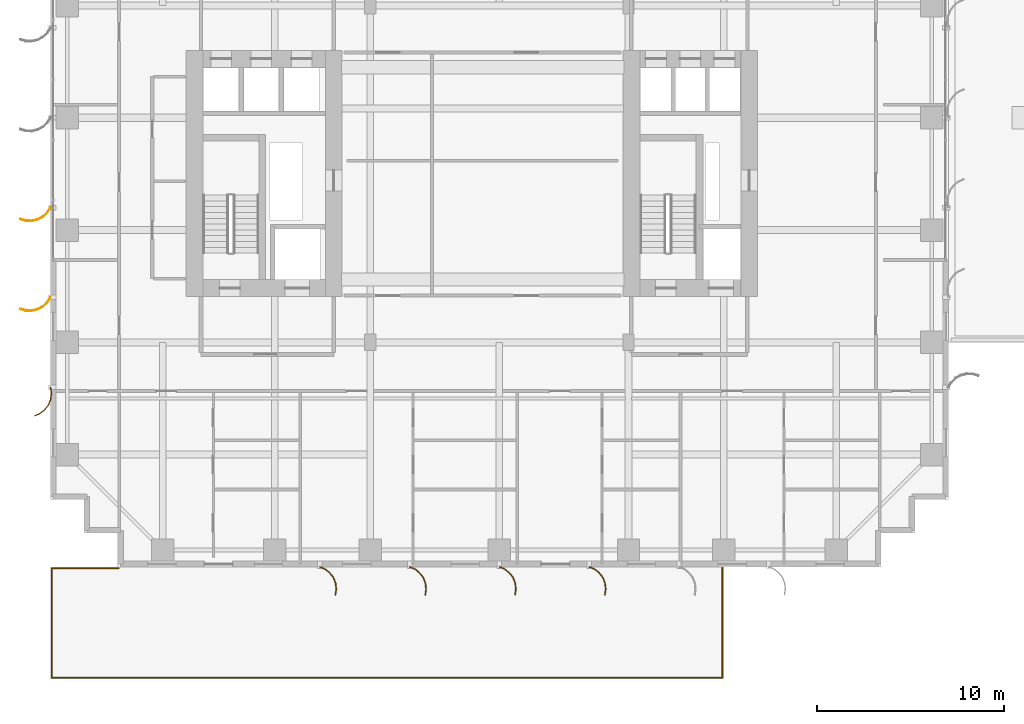
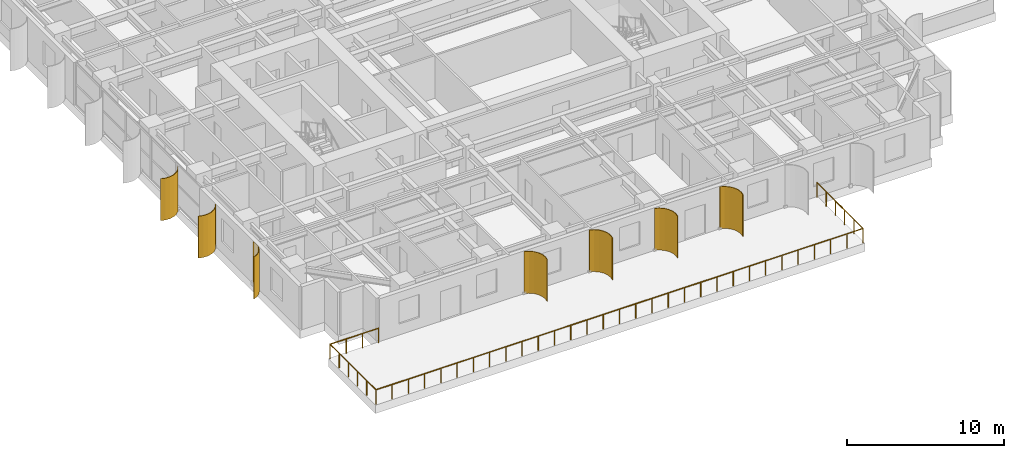
# One storey, part 18 of 21: 7 shading devices, 1 railing.
"""IFC4 building model written with IfcOpenShell, lengths in metres."""

import ifcopenshell
import ifcopenshell.guid

model = None  # the IFC model being written
_history = None  # IfcOwnerHistory: only IFC2X3 demands one
_inside = {}  # id of a spatial element -> (the spatial element, [elements in it])
_under = {}  # id of a project, library or spatial element -> (it, [spatial elements below it])
_declared = {}  # id of a project -> (the project, [libraries it declares])
_typed = {}  # id of a type object -> (the type object, [elements of that type])
_made_of = {}  # id of a material, layer set ... -> (it, [elements and type objects made of it])


def new_model(schema):
    """Start an empty IFC model of exactly this schema.

    Asked for "IFC4X3", IfcOpenShell would pick the latest addendum, in which some entities
    have other attributes; the version numbers below select the first issue.
    IFC2X3 requires an IfcOwnerHistory on every rooted entity: one is made here for all.
    """
    global model, _history
    if schema == "IFC4X3":
        model = ifcopenshell.file(schema_version=(4, 3, 0, 0))
    else:
        model = ifcopenshell.file(schema=schema)
    _inside.clear()
    _under.clear()
    _declared.clear()
    _typed.clear()
    _made_of.clear()
    _history = None
    if model.schema == "IFC2X3":
        org = make("IfcOrganization", Name="unknown")
        user = make(
            "IfcPersonAndOrganization",
            ThePerson=make("IfcPerson", FamilyName="unknown"),
            TheOrganization=org,
        )
        app = make(
            "IfcApplication",
            ApplicationDeveloper=org,
            Version="unknown",
            ApplicationFullName="unknown",
            ApplicationIdentifier="unknown",
        )
        _history = make(
            "IfcOwnerHistory",
            OwningUser=user,
            OwningApplication=app,
            ChangeAction="ADDED",
            CreationDate=0,
        )
    return model


def make(cls, **values):
    """One entity of the class cls with the attributes given. An attribute that is None is left unset."""
    return model.create_entity(
        cls, **{name: value for name, value in values.items() if value is not None}
    )


def rooted(cls, **values):
    """An entity with a GlobalId (a new one), such as an element, a storey or a relation."""
    return make(cls, GlobalId=ifcopenshell.guid.new(), OwnerHistory=_history, **values)


def si_unit(unit_type, name, prefix=None):
    """IfcSIUnit, for example si_unit("LENGTHUNIT", "METRE", prefix="MILLI")."""
    return make("IfcSIUnit", UnitType=unit_type, Prefix=prefix, Name=name)


def assignment(units):
    """IfcUnitAssignment: the units of a project."""
    return None if units is None else make("IfcUnitAssignment", Units=units)


def point(xyz):
    """IfcCartesianPoint."""
    return None if xyz is None else make("IfcCartesianPoint", Coordinates=xyz)


def direction(xyz):
    """IfcDirection."""
    return None if xyz is None else make("IfcDirection", DirectionRatios=xyz)


def frame(location, z_axis=None, x_axis=None):
    """IfcAxis2Placement3D, a coordinate frame: its origin and axes. An axis left out is left unset."""
    return make(
        "IfcAxis2Placement3D",
        Location=point(location),
        Axis=direction(z_axis),
        RefDirection=direction(x_axis),
    )


def frame_2d(location, x_axis=None):
    """IfcAxis2Placement2D, a coordinate frame in the plane: its origin and x axis."""
    return make(
        "IfcAxis2Placement2D", Location=point(location), RefDirection=direction(x_axis)
    )


def origin():
    """The frame at (0, 0, 0) with its axes left unset."""
    return frame((0.0, 0.0, 0.0))


def origin_2d():
    """The frame at (0, 0) in the plane with its x axis left unset."""
    return frame_2d((0.0, 0.0))


def place(relative_to, where):
    """IfcLocalPlacement: puts the frame where relative to a parent placement (None: the world)."""
    return make(
        "IfcLocalPlacement", PlacementRelTo=relative_to, RelativePlacement=where
    )


def context(
    kind, dimensions, precision=None, world=None, true_north=None, identifier=None
):
    """IfcGeometricRepresentationContext, for example the 3D "Model" context."""
    return make(
        "IfcGeometricRepresentationContext",
        ContextIdentifier=identifier,
        ContextType=kind,
        CoordinateSpaceDimension=dimensions,
        Precision=precision,
        WorldCoordinateSystem=world,
        TrueNorth=true_north,
    )


def subcontext(parent, identifier, kind, view, scale=None):
    """IfcGeometricRepresentationSubContext, for example "Body" below "Model"."""
    return make(
        "IfcGeometricRepresentationSubContext",
        ContextIdentifier=identifier,
        ContextType=kind,
        ParentContext=parent,
        TargetScale=scale,
        TargetView=view,
    )


def project(units=None, contexts=None):
    """IfcProject with its units and contexts."""
    return rooted(
        "IfcProject",
        Name="project",
        RepresentationContexts=contexts,
        UnitsInContext=assignment(units),
    )


def spatial(cls, under=None, at=None, **own):
    """A site, building, storey or space (cls), placed at a placement, below another one or the project."""
    s = rooted(cls, ObjectPlacement=at, **own)
    if under is not None:
        _under.setdefault(under.id(), (under, []))[1].append(s)
    return s


def polyline(points):
    """IfcPolyline through the points."""
    return make("IfcPolyline", Points=[point(p) for p in points])


def profile(cls, at=None, kind="AREA", **sizes):
    """A parametric profile (cls). Its sizes go by their IFC names, for example OverallWidth=200.0."""
    return make(cls, ProfileType=kind, Position=at, **sizes)


def circle(**sizes):
    """IfcCircleProfileDef."""
    return profile("IfcCircleProfileDef", **sizes)


def outline(outer, holes=None, kind="AREA"):
    """IfcArbitraryClosedProfileDef: a profile drawn as a closed curve; with holes, ...WithVoids."""
    if holes is None:
        return make("IfcArbitraryClosedProfileDef", ProfileType=kind, OuterCurve=outer)
    return make(
        "IfcArbitraryProfileDefWithVoids",
        ProfileType=kind,
        OuterCurve=outer,
        InnerCurves=holes,
    )


def extrude(swept, where, along, depth):
    """IfcExtrudedAreaSolid: the profile swept, set in the frame where, extruded along a direction by depth."""
    return make(
        "IfcExtrudedAreaSolid",
        SweptArea=swept,
        Position=where,
        ExtrudedDirection=direction(along),
        Depth=depth,
    )


def shape(context_of_items, identifier, shape_type, items):
    """IfcShapeRepresentation: the items that make up one representation, for example the "Body"."""
    return make(
        "IfcShapeRepresentation",
        ContextOfItems=context_of_items,
        RepresentationIdentifier=identifier,
        RepresentationType=shape_type,
        Items=items,
    )


def source(mapping_origin, context_of_items, identifier, shape_type, items):
    """IfcRepresentationMap: a shape defined once, which mapped items show again and again."""
    return make(
        "IfcRepresentationMap",
        MappingOrigin=mapping_origin,
        MappedRepresentation=shape(context_of_items, identifier, shape_type, items),
    )


def transform(
    local_origin,
    x_axis=None,
    y_axis=None,
    z_axis=None,
    scale=None,
    scale2=None,
    scale3=None,
    uniform=True,
):
    """IfcCartesianTransformationOperator3D, or its non-uniform kind. x_axis, y_axis, z_axis: its Axis1, 2, 3."""
    if uniform:
        return make(
            "IfcCartesianTransformationOperator3D",
            Axis1=direction(x_axis),
            Axis2=direction(y_axis),
            LocalOrigin=point(local_origin),
            Scale=scale,
            Axis3=direction(z_axis),
        )
    return make(
        "IfcCartesianTransformationOperator3DnonUniform",
        Axis1=direction(x_axis),
        Axis2=direction(y_axis),
        LocalOrigin=point(local_origin),
        Scale=scale,
        Axis3=direction(z_axis),
        Scale2=scale2,
        Scale3=scale3,
    )


def mapped(mapping_source, mapping_target):
    """IfcMappedItem: shows the shape of a source again, moved by a transform."""
    return make(
        "IfcMappedItem", MappingSource=mapping_source, MappingTarget=mapping_target
    )


def material(Name=None, Category=None):
    """IfcMaterial."""
    return make("IfcMaterial", Name=Name, Category=Category)


def layer(
    of_material, thickness, ventilated=None, Name=None, Category=None, Priority=None
):
    """IfcMaterialLayer: one layer of a wall or slab, of a material (None: an air gap)."""
    return make(
        "IfcMaterialLayer",
        Material=of_material,
        LayerThickness=thickness,
        IsVentilated=ventilated,
        Name=Name,
        Category=Category,
        Priority=Priority,
    )


def layer_set(layers, Name=None):
    """IfcMaterialLayerSet."""
    return make("IfcMaterialLayerSet", MaterialLayers=layers, LayerSetName=Name)


def made_of(thing, what):
    """Note that an element or type object is made of a material, layer set ...; save() writes the relation."""
    if what is not None:
        _made_of.setdefault(what.id(), (what, []))[1].append(thing)
    return thing


def type_object(cls, material=None, **own):
    """A type object (cls), such as IfcWallType, which elements share."""
    return made_of(rooted(cls, **own), material)


def element(
    cls,
    number,
    at=None,
    inside=None,
    cuts=None,
    type_object=None,
    material=None,
    context=None,
    identifier="Body",
    shape_type=None,
    held_by="IfcProductDefinitionShape",
    body=None,
    shapes=None,
    **own,
):
    """One element of the class cls, such as IfcWall. Its Tag is "e" and its number.

    at: its placement. inside: the storey or other place that contains it. cuts: it is an
    opening in that element (IfcRelVoidsElement). A single representation is given by context,
    identifier, shape_type and body (its items); several are given by shapes. held_by: the class
    of the entity that holds the representations. save() writes the other relations.
    """
    e = rooted(cls, Tag="e%d" % number, ObjectPlacement=at, **own)
    if body is not None:
        shapes = [shape(context, identifier, shape_type, body)]
    if shapes is not None:
        e.Representation = make(held_by, Representations=shapes)
    if inside is not None:
        _inside.setdefault(inside.id(), (inside, []))[1].append(e)
    if cuts is not None:
        rooted(
            "IfcRelVoidsElement", RelatingBuildingElement=cuts, RelatedOpeningElement=e
        )
    if type_object is not None:
        _typed.setdefault(type_object.id(), (type_object, []))[1].append(e)
    return made_of(e, material)


def aggregate(whole, parts):
    """IfcRelAggregates: a whole, such as a stair, and the parts it consists of."""
    return rooted("IfcRelAggregates", RelatingObject=whole, RelatedObjects=parts)


def save(model, path):
    """Write the relations noted so far, then the file.

    IfcRelAggregates (storeys below a building ...), IfcRelContainedInSpatialStructure (elements
    in a storey), IfcRelDefinesByType, IfcRelAssociatesMaterial and IfcRelDeclares: one each for
    every whole, place, type object, material and project.
    """
    for whole, parts in _under.values():
        aggregate(whole, parts)
    for where, things in _inside.values():
        rooted(
            "IfcRelContainedInSpatialStructure",
            RelatedElements=things,
            RelatingStructure=where,
        )
    for kind, things in _typed.values():
        rooted("IfcRelDefinesByType", RelatedObjects=things, RelatingType=kind)
    for what, things in _made_of.values():
        rooted("IfcRelAssociatesMaterial", RelatedObjects=things, RelatingMaterial=what)
    for by, libraries in _declared.values():
        rooted("IfcRelDeclares", RelatingContext=by, RelatedDefinitions=libraries)
    model.write(path)


model = new_model("IFC4")

# Units and contexts
model_context = context("Model", 3, precision=1e-05, world=origin(), true_north=direction((0.0, 1.0)))
body_context = subcontext(model_context, "Body", "Model", "MODEL_VIEW")
ifc_project = project(units=[si_unit("LENGTHUNIT", "METRE"), si_unit("AREAUNIT", "SQUARE_METRE"), si_unit("VOLUMEUNIT", "CUBIC_METRE"), si_unit("PLANEANGLEUNIT", "RADIAN"), si_unit("MASSUNIT", "GRAM", prefix="KILO")], contexts=[model_context])

# Site, building, storey
site_placement = place(None, origin())
site = spatial("IfcSite", under=ifc_project, at=site_placement, CompositionType="ELEMENT")
building_placement = place(site_placement, origin())
building = spatial("IfcBuilding", under=site, at=building_placement, Name="Khoralis Quay Care Tower", CompositionType="ELEMENT")
storey_placement = place(building_placement, frame((0.0, 0.0, 22.5)))
storey = spatial("IfcBuildingStorey", under=building, at=storey_placement, Name="L05", CompositionType="ELEMENT", Elevation=22.5)

# Railing
ifc_material_1 = material(Name="Pale anodised aluminium", Category="aluminium")
railing_type = type_object("IfcRailingType", Name="RL-BALUST-1150", PredefinedType="BALUSTRADE", material=ifc_material_1)
railing_placement = place(storey_placement, frame((3.64990234375, -0.080078125, 0.0)))
element("IfcRailing", 1, at=railing_placement, inside=storey, type_object=railing_type, Name="L05 Waterfront Podium Terrace Balustrade", PredefinedType="BALUSTRADE", context=body_context, shape_type="SweptSolid", body=[
    extrude(circle(Radius=0.02392578125, at=origin_2d()), frame((0.0, 0.0, 1.1259765625), z_axis=(-1.0, 0.0, 0.0), x_axis=(0.0, -1.0, 0.0)), (0.0, 0.0, 1.0), 3.56982421875),
    extrude(circle(Radius=0.02392578125, at=origin_2d()), frame((-3.56982421875, 0.0, 1.1259765625), z_axis=(0.0, -1.0, 0.0), x_axis=(1.0, 0.0, 0.0)), (0.0, 0.0, 1.0), 5.83984375),
    extrude(circle(Radius=0.02392578125, at=origin_2d()), frame((-3.56982421875, -5.83984375, 1.1259765625), z_axis=(1.0, 0.0, 0.0), x_axis=(0.0, 1.0, 0.0)), (0.0, 0.0, 1.0), 35.83984375),
    extrude(circle(Radius=0.02392578125, at=origin_2d()), frame((32.27001953125, -5.83984375, 1.1259765625), z_axis=(0.0, 1.0, 0.0), x_axis=(-1.0, 0.0, 0.0)), (0.0, 0.0, 1.0), 5.8798828125),
    extrude(circle(Radius=0.02099609375, at=origin_2d()), origin(), (0.0, 0.0, 1.0), 1.101806640625),
    extrude(circle(Radius=0.02099609375, at=origin_2d()), frame((-1.18994140625, 0.0, 0.0)), (0.0, 0.0, 1.0), 1.101806640625),
    extrude(circle(Radius=0.02099609375, at=origin_2d()), frame((-2.3798828125, 0.0, 0.0)), (0.0, 0.0, 1.0), 1.101806640625),
    extrude(circle(Radius=0.02099609375, at=origin_2d()), frame((-3.56982421875, 0.0, 0.0)), (0.0, 0.0, 1.0), 1.101806640625),
    extrude(circle(Radius=0.02099609375, at=origin_2d()), frame((-3.56982421875, -1.16796875, 0.0)), (0.0, 0.0, 1.0), 1.101806640625),
    extrude(circle(Radius=0.02099609375, at=origin_2d()), frame((-3.56982421875, -2.3359375, 0.0)), (0.0, 0.0, 1.0), 1.101806640625),
    extrude(circle(Radius=0.02099609375, at=origin_2d()), frame((-3.56982421875, -3.50390625, 0.0)), (0.0, 0.0, 1.0), 1.101806640625),
    extrude(circle(Radius=0.02099609375, at=origin_2d()), frame((-3.56982421875, -4.671875, 0.0)), (0.0, 0.0, 1.0), 1.101806640625),
    extrude(circle(Radius=0.02099609375, at=origin_2d()), frame((-3.56982421875, -5.83984375, 0.0)), (0.0, 0.0, 1.0), 1.101806640625),
    extrude(circle(Radius=0.02099609375, at=origin_2d()), frame((-2.375244140625, -5.83984375, 0.0)), (0.0, 0.0, 1.0), 1.101806640625),
    extrude(circle(Radius=0.02099609375, at=origin_2d()), frame((-1.180419921875, -5.83984375, 0.0)), (0.0, 0.0, 1.0), 1.101806640625),
    extrude(circle(Radius=0.02099609375, at=origin_2d()), frame((0.01416015625, -5.83984375, 0.0)), (0.0, 0.0, 1.0), 1.101806640625),
    extrude(circle(Radius=0.02099609375, at=origin_2d()), frame((1.208740234375, -5.83984375, 0.0)), (0.0, 0.0, 1.0), 1.101806640625),
    extrude(circle(Radius=0.02099609375, at=origin_2d()), frame((2.403564453125, -5.83984375, 0.0)), (0.0, 0.0, 1.0), 1.101806640625),
    extrude(circle(Radius=0.02099609375, at=origin_2d()), frame((3.59814453125, -5.83984375, 0.0)), (0.0, 0.0, 1.0), 1.101806640625),
    extrude(circle(Radius=0.02099609375, at=origin_2d()), frame((4.792724609375, -5.83984375, 0.0)), (0.0, 0.0, 1.0), 1.101806640625),
    extrude(circle(Radius=0.02099609375, at=origin_2d()), frame((5.987548828125, -5.83984375, 0.0)), (0.0, 0.0, 1.0), 1.101806640625),
    extrude(circle(Radius=0.02099609375, at=origin_2d()), frame((7.18212890625, -5.83984375, 0.0)), (0.0, 0.0, 1.0), 1.101806640625),
    extrude(circle(Radius=0.02099609375, at=origin_2d()), frame((8.376708984375, -5.83984375, 0.0)), (0.0, 0.0, 1.0), 1.101806640625),
    extrude(circle(Radius=0.02099609375, at=origin_2d()), frame((9.571533203125, -5.83984375, 0.0)), (0.0, 0.0, 1.0), 1.101806640625),
    extrude(circle(Radius=0.02099609375, at=origin_2d()), frame((10.76611328125, -5.83984375, 0.0)), (0.0, 0.0, 1.0), 1.101806640625),
    extrude(circle(Radius=0.02099609375, at=origin_2d()), frame((11.960693359375, -5.83984375, 0.0)), (0.0, 0.0, 1.0), 1.101806640625),
    extrude(circle(Radius=0.02099609375, at=origin_2d()), frame((13.155517578125, -5.83984375, 0.0)), (0.0, 0.0, 1.0), 1.101806640625),
    extrude(circle(Radius=0.02099609375, at=origin_2d()), frame((14.35009765625, -5.83984375, 0.0)), (0.0, 0.0, 1.0), 1.101806640625),
    extrude(circle(Radius=0.02099609375, at=origin_2d()), frame((15.544677734375, -5.83984375, 0.0)), (0.0, 0.0, 1.0), 1.101806640625),
    extrude(circle(Radius=0.02099609375, at=origin_2d()), frame((16.739501953125, -5.83984375, 0.0)), (0.0, 0.0, 1.0), 1.101806640625),
    extrude(circle(Radius=0.02099609375, at=origin_2d()), frame((17.93408203125, -5.83984375, 0.0)), (0.0, 0.0, 1.0), 1.101806640625),
    extrude(circle(Radius=0.02099609375, at=origin_2d()), frame((19.128662109375, -5.83984375, 0.0)), (0.0, 0.0, 1.0), 1.101806640625),
    extrude(circle(Radius=0.02099609375, at=origin_2d()), frame((20.323486328125, -5.83984375, 0.0)), (0.0, 0.0, 1.0), 1.101806640625),
    extrude(circle(Radius=0.02099609375, at=origin_2d()), frame((21.51806640625, -5.83984375, 0.0)), (0.0, 0.0, 1.0), 1.101806640625),
    extrude(circle(Radius=0.02099609375, at=origin_2d()), frame((22.712646484375, -5.83984375, 0.0)), (0.0, 0.0, 1.0), 1.101806640625),
    extrude(circle(Radius=0.02099609375, at=origin_2d()), frame((23.907470703125, -5.83984375, 0.0)), (0.0, 0.0, 1.0), 1.101806640625),
    extrude(circle(Radius=0.02099609375, at=origin_2d()), frame((25.10205078125, -5.83984375, 0.0)), (0.0, 0.0, 1.0), 1.101806640625),
    extrude(circle(Radius=0.02099609375, at=origin_2d()), frame((26.296630859375, -5.83984375, 0.0)), (0.0, 0.0, 1.0), 1.101806640625),
    extrude(circle(Radius=0.02099609375, at=origin_2d()), frame((27.491455078125, -5.83984375, 0.0)), (0.0, 0.0, 1.0), 1.101806640625),
    extrude(circle(Radius=0.02099609375, at=origin_2d()), frame((28.68603515625, -5.83984375, 0.0)), (0.0, 0.0, 1.0), 1.101806640625),
    extrude(circle(Radius=0.02099609375, at=origin_2d()), frame((29.880615234375, -5.83984375, 0.0)), (0.0, 0.0, 1.0), 1.101806640625),
    extrude(circle(Radius=0.02099609375, at=origin_2d()), frame((31.075439453125, -5.83984375, 0.0)), (0.0, 0.0, 1.0), 1.101806640625),
    extrude(circle(Radius=0.02099609375, at=origin_2d()), frame((32.27001953125, -5.83984375, 0.0)), (0.0, 0.0, 1.0), 1.101806640625),
    extrude(circle(Radius=0.02099609375, at=origin_2d()), frame((32.27001953125, -4.663818359375, 0.0)), (0.0, 0.0, 1.0), 1.101806640625),
    extrude(circle(Radius=0.02099609375, at=origin_2d()), frame((32.27001953125, -3.48779296875, 0.0)), (0.0, 0.0, 1.0), 1.101806640625),
    extrude(circle(Radius=0.02099609375, at=origin_2d()), frame((32.27001953125, -2.31201171875, 0.0)), (0.0, 0.0, 1.0), 1.101806640625),
    extrude(circle(Radius=0.02099609375, at=origin_2d()), frame((32.27001953125, -1.135986328125, 0.0)), (0.0, 0.0, 1.0), 1.101806640625),
    extrude(circle(Radius=0.02099609375, at=origin_2d()), frame((32.27001953125, 0.0400390625, 0.0)), (0.0, 0.0, 1.0), 1.101806640625),
])

# Shading devices
ifc_material_2 = material(Name="Brushed pale anodised aluminium", Category="aluminium")
ifc_layer = layer(ifc_material_2, 0.044921875)
ifc_layer_set = layer_set([ifc_layer], Name="Brushed pale anodised aluminium")
shading_device_type = type_object("IfcShadingDeviceType", Name="SHD-FIN-1250", PredefinedType="USERDEFINED", material=ifc_layer_set)
shared_shape_1 = source(origin(), body_context, "Body", "SweptSolid", [
    extrude(outline(polyline([(0.0, 0.0), (0.130126953125, 0.29931640625), (0.333251953125, 0.5546875), (0.595458984375, 0.748779296875), (0.899169921875, 0.868408203125), (1.223388671875, 0.9052734375), (1.546142578125, 0.85693359375), (1.53369140625, 0.813720703125), (1.22265625, 0.8603515625), (0.91015625, 0.82470703125), (0.617431640625, 0.70947265625), (0.364501953125, 0.522216796875), (0.168701171875, 0.276123046875), (0.043212890625, -0.012451171875), (0.0, 0.0)])), origin(), (0.0, 0.0, 1.0), 3.260009765625),
])
for number, where, z_axis, x_axis, name in (
    (2, (14.39990234375, 0.030029296875, 0.02001953125), (0.0, 0.0, 1.0), (0.0, -1.0, 0.0), "L05 Curved Solar Fin P1E0-02"),
    (3, (19.199951171875, 0.030029296875, 0.02001953125), (0.0, 0.0, 1.0), (0.0, -1.0, 0.0), "L05 Curved Solar Fin P1E0-03"),
    (4, (24.0, 0.030029296875, 0.02001953125), (0.0, 0.0, 1.0), (0.0, -1.0, 0.0), "L05 Curved Solar Fin P1E0-04"),
    (5, (28.800048828125, 0.030029296875, 0.02001953125), (0.0, 0.0, 1.0), (0.0, -1.0, 0.0), "L05 Curved Solar Fin P1E0-05"),
):
    element("IfcShadingDevice", number, at=place(storey_placement, frame(where, z_axis=z_axis, x_axis=x_axis)), inside=storey, type_object=shading_device_type, Name=name, ObjectType="FIN", PredefinedType="USERDEFINED", context=body_context, shape_type="MappedRepresentation", body=[
        mapped(shared_shape_1, transform((0.0, 0.0, 0.0), scale=1.0)),
    ])
shared_shape_2 = source(origin(), body_context, "Body", "SweptSolid", [
    extrude(outline(polyline([(0.0, 0.0), (0.17041015625, 0.2783203125), (0.4072265625, 0.5029296875), (0.694091796875, 0.658447265625), (1.01123046875, 0.734619140625), (1.33740234375, 0.72607421875), (1.650390625, 0.633544921875), (1.632080078125, 0.59228515625), (1.330322265625, 0.681640625), (1.015869140625, 0.68994140625), (0.710205078125, 0.616455078125), (0.43359375, 0.466552734375), (0.20556640625, 0.25), (0.041015625, -0.018310546875), (0.0, 0.0)])), origin(), (0.0, 0.0, 1.0), 3.260009765625),
])
for number, where, z_axis, x_axis, name in (
    (6, (0.030029296875, 19.199951171875, 0.02001953125), (0.0, 0.0, 1.0), (-1.0, 0.0, 0.0), "L05 Curved Solar Fin P1E15-05"),
    (7, (0.030029296875, 14.39990234375, 0.02001953125), (0.0, 0.0, 1.0), (-1.0, 0.0, 0.0), "L05 Curved Solar Fin P1E15-06"),
):
    element("IfcShadingDevice", number, at=place(storey_placement, frame(where, z_axis=z_axis, x_axis=x_axis)), inside=storey, type_object=shading_device_type, Name=name, ObjectType="FIN", PredefinedType="USERDEFINED", context=body_context, shape_type="MappedRepresentation", body=[
        mapped(shared_shape_2, transform((0.0, 0.0, 0.0), scale=1.0)),
    ])
shared_shape_3 = source(origin(), body_context, "Body", "SweptSolid", [
    extrude(outline(polyline([(0.0, 0.0), (-0.04833984375, 0.32275390625), (-0.01123046875, 0.64697265625), (0.1083984375, 0.950439453125), (0.302490234375, 1.212890625), (0.557861328125, 1.416015625), (0.85693359375, 1.546142578125), (0.869384765625, 1.5029296875), (0.5810546875, 1.37744140625), (0.334716796875, 1.181640625), (0.147705078125, 0.9287109375), (0.032470703125, 0.635986328125), (-0.003173828125, 0.323486328125), (0.043212890625, 0.012451171875), (0.0, 0.0)])), origin(), (0.0, 0.0, 1.0), 3.260009765625),
])
shading_device_placement = place(storey_placement, frame((0.030029296875, 9.60009765625, 0.02001953125), z_axis=(0.0, 0.0, 1.0), x_axis=(-1.0, 0.0, 0.0)))
element("IfcShadingDevice", 8, at=shading_device_placement, inside=storey, type_object=shading_device_type, Name="L05 Curved Solar Fin P1E15-07", ObjectType="FIN", PredefinedType="USERDEFINED", context=body_context, shape_type="MappedRepresentation", body=[
    mapped(shared_shape_3, transform((0.0, 0.0, 0.0), scale=1.0)),
])

save(model, "model.ifc")
